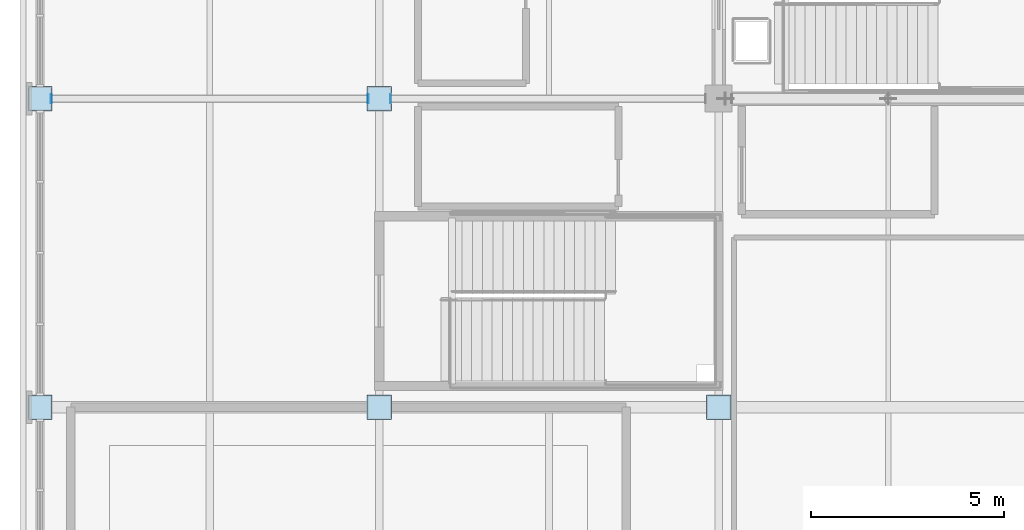
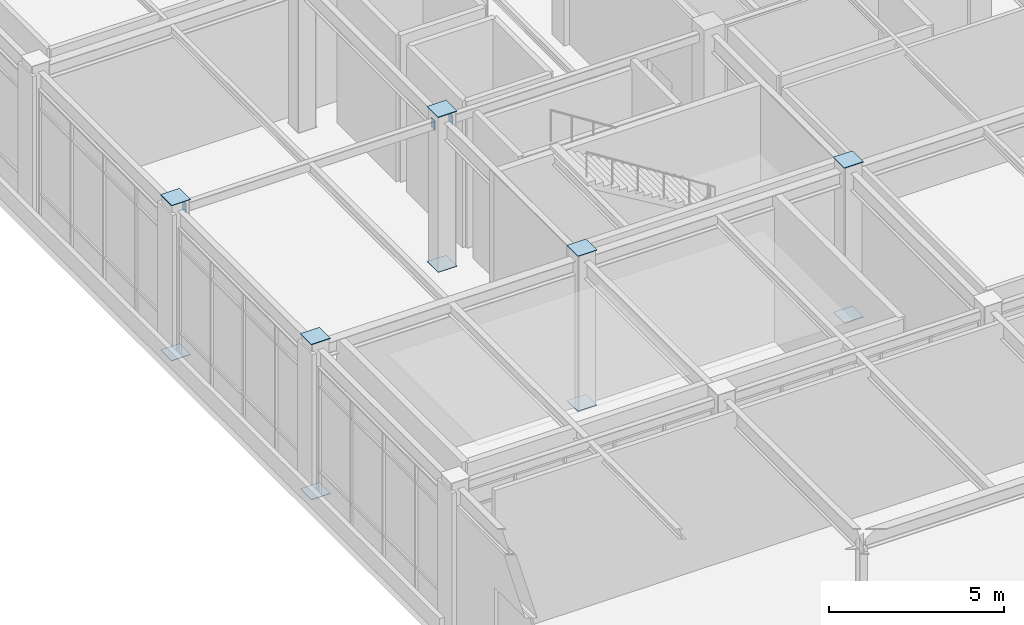
# One storey, part 111 of 184: 13 plates.
"""IFC4 building model written with IfcOpenShell, lengths in metres."""

from ifc_helpers import new_model, si_unit, direction, frame, origin, origin_2d, place, context, subcontext, project, spatial, rectangle, extrude, material, layer, layer_set, type_object, element, save


model = new_model("IFC4")

# Units and contexts
model_context = context("Model", 3, precision=1e-05, world=origin(), true_north=direction((0.0, 1.0)))
body_context = subcontext(model_context, "Body", "Model", "MODEL_VIEW")
ifc_project = project(units=[si_unit("LENGTHUNIT", "METRE"), si_unit("AREAUNIT", "SQUARE_METRE"), si_unit("VOLUMEUNIT", "CUBIC_METRE"), si_unit("PLANEANGLEUNIT", "RADIAN"), si_unit("MASSUNIT", "GRAM", prefix="KILO")], contexts=[model_context])

# Site, building, storey
site_placement = place(None, origin())
site = spatial("IfcSite", under=ifc_project, at=site_placement, CompositionType="ELEMENT")
building_placement = place(site_placement, origin())
building = spatial("IfcBuilding", under=site, at=building_placement, Name="Zhaolan Boulevard Law Courts", CompositionType="ELEMENT")
storey_placement = place(building_placement, frame((0.0, 0.0, 5.39990234375)))
storey = spatial("IfcBuildingStorey", under=building, at=storey_placement, Name="L01", CompositionType="ELEMENT", Elevation=5.39990234375)

# Plates
ifc_material = material(Name="Structural steel Q355B", Category="steel")
ifc_layer = layer(ifc_material, 0.02001953125)
ifc_layer_set = layer_set([ifc_layer])
plate_type = type_object("IfcPlateType", Name="END CAP PLATE 20", PredefinedType="SHEET", material=ifc_layer_set)
for number, where, z_axis, x_axis, name in (
    (1, (0.0, 38.0, -0.017822265625), (0.0, 0.0, 1.0), (1.0, 0.0, 0.0), "Hollow Section End-Cap Plate ECP-0025"),
    (2, (0.0, 38.0, 5.398193359375), (0.0, 0.0, 1.0), (1.0, 0.0, 0.0), "Hollow Section End-Cap Plate ECP-0026"),
    (3, (0.0, 46.0, -0.017822265625), (0.0, 0.0, 1.0), (1.0, 0.0, 0.0), "Hollow Section End-Cap Plate ECP-0047"),
    (4, (0.0, 46.0, 5.398193359375), (0.0, 0.0, 1.0), (1.0, 0.0, 0.0), "Hollow Section End-Cap Plate ECP-0048"),
    (5, (8.800048828125, 38.0, -0.017822265625), (0.0, 0.0, 1.0), (1.0, 0.0, 0.0), "Hollow Section End-Cap Plate ECP-0159"),
    (6, (8.800048828125, 38.0, 5.398193359375), (0.0, 0.0, 1.0), (1.0, 0.0, 0.0), "Hollow Section End-Cap Plate ECP-0160"),
    (7, (8.800048828125, 46.0, -0.017822265625), (0.0, 0.0, 1.0), (1.0, 0.0, 0.0), "Hollow Section End-Cap Plate ECP-0181"),
    (8, (8.800048828125, 46.0, 5.398193359375), (0.0, 0.0, 1.0), (1.0, 0.0, 0.0), "Hollow Section End-Cap Plate ECP-0182"),
    (9, (17.60009765625, 38.0, -0.017822265625), (0.0, 0.0, 1.0), (1.0, 0.0, 0.0), "Hollow Section End-Cap Plate ECP-0293"),
    (10, (17.60009765625, 38.0, 5.398193359375), (0.0, 0.0, 1.0), (1.0, 0.0, 0.0), "Hollow Section End-Cap Plate ECP-0294"),
):
    element("IfcPlate", number, at=place(storey_placement, frame(where, z_axis=z_axis, x_axis=x_axis)), inside=storey, type_object=plate_type, Name=name, PredefinedType="SHEET", context=body_context, shape_type="SweptSolid", body=[
        extrude(rectangle(XDim=0.6298828125, YDim=0.6298828125, at=origin_2d()), origin(), (0.0, 0.0, 1.0), 0.02001953125),
    ])
for number, where, z_axis, x_axis, name in (
    (11, (0.2880859375, 46.0, 4.822998046875), (0.0, 0.0, 1.0), (1.0, 0.0, 0.0), "Hollow Section End-Cap Plate ECP-0757"),
    (12, (8.511962890625, 46.0, 4.822998046875), (0.0, 0.0, 1.0), (1.0, 0.0, 0.0), "Hollow Section End-Cap Plate ECP-0758"),
    (13, (9.087890625, 46.0, 4.822998046875), (0.0, 0.0, 1.0), (1.0, 0.0, 0.0), "Hollow Section End-Cap Plate ECP-0759"),
):
    element("IfcPlate", number, at=place(storey_placement, frame(where, z_axis=z_axis, x_axis=x_axis)), inside=storey, type_object=plate_type, Name=name, PredefinedType="SHEET", context=body_context, shape_type="SweptSolid", body=[
        extrude(rectangle(XDim=0.02001953125, YDim=0.22998046875, at=origin_2d()), origin(), (0.0, 0.0, 1.0), 0.330078125),
    ])

save(model, "model.ifc")
